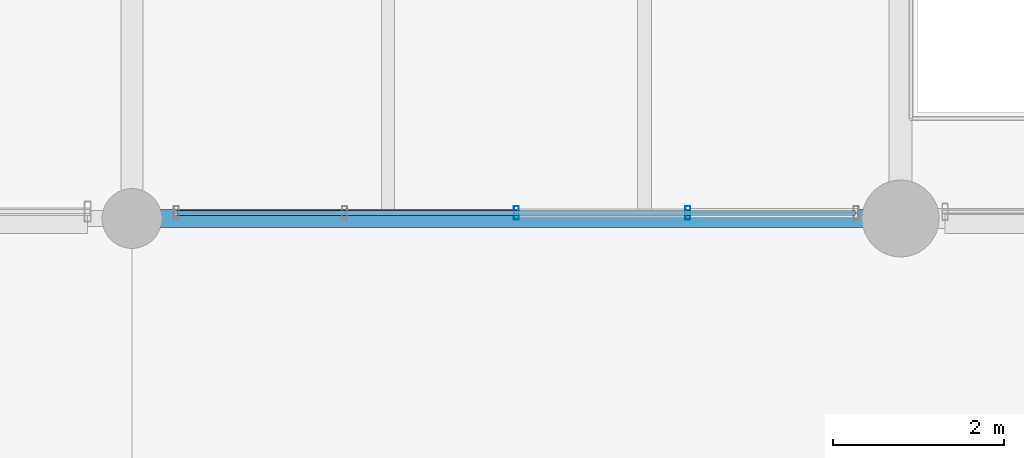
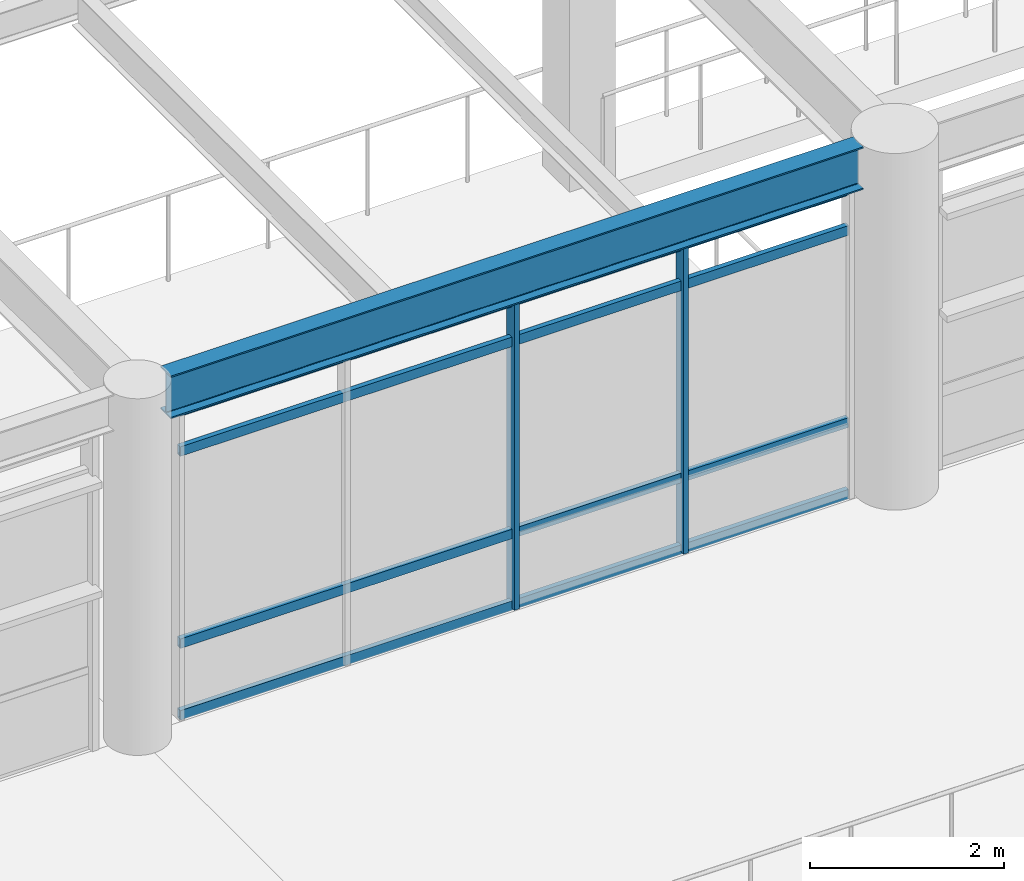
# One storey, part 47 of 200: 6 members, 1 beam, 1 element without a shape of its own.
"""IFC4 building model written with IfcOpenShell, lengths in metres."""

from ifc_helpers import new_model, si_unit, direction, frame, origin, origin_2d, place, context, subcontext, project, spatial, hollow_rectangle, i_section, extrude, material, material_profile, profile_set, type_object, element, aggregate, save


model = new_model("IFC4")

# Units and contexts
model_context = context("Model", 3, precision=1e-05, world=origin(), true_north=direction((0.0, 1.0)))
body_context = subcontext(model_context, "Body", "Model", "MODEL_VIEW")
ifc_project = project(units=[si_unit("LENGTHUNIT", "METRE"), si_unit("AREAUNIT", "SQUARE_METRE"), si_unit("VOLUMEUNIT", "CUBIC_METRE"), si_unit("PLANEANGLEUNIT", "RADIAN"), si_unit("MASSUNIT", "GRAM", prefix="KILO"), si_unit("THERMODYNAMICTEMPERATUREUNIT", "KELVIN"), si_unit("POWERUNIT", "WATT")], contexts=[model_context])

# Site, building, storey
site_placement = place(None, origin())
site = spatial("IfcSite", under=ifc_project, at=site_placement, CompositionType="ELEMENT")
building_placement = place(site_placement, origin())
building = spatial("IfcBuilding", under=site, at=building_placement, Name="Tepalcoro Natatorium and Aquatics Centre", CompositionType="ELEMENT")
storey_placement = place(building_placement, frame((0.0, 0.0, 5.39990234375)))
storey = spatial("IfcBuildingStorey", under=building, at=storey_placement, Name="L01", CompositionType="ELEMENT", Elevation=5.39990234375)

# Curtain wall, members
ifc_material_1 = material(Name="Bronze-Anodised Extruded Aluminium Alloy EN AW-6063 T6", Category="aluminium")
curtain_wall_type = type_object("IfcCurtainWallType", Name="CW_LEAN_T1_NS", PredefinedType="USERDEFINED", material=ifc_material_1)
curtain_wall_placement = place(storey_placement, origin())
curtain_wall = element("IfcCurtainWall", 1, at=curtain_wall_placement, inside=storey, type_object=curtain_wall_type, Name="V1 L01 S Unitised Curtain Wall Bay 6", ObjectType="FACETED SOLAR GLAZING", PredefinedType="USERDEFINED")
ifc_material_profile_1 = material_profile(ifc_material_1, hollow_rectangle(XDim=0.06005859375, YDim=0.159912109375, WallThickness=0.00390625, at=origin_2d()), Name="AL60X160X4")
ifc_profile_set_1 = profile_set([ifc_material_profile_1], Name="Bronze-Anodised Extruded Aluminium Alloy EN AW-6063 T6")
member_type_1 = type_object("IfcMemberType", Name="CW_MUL_60x160", PredefinedType="MULLION", material=ifc_profile_set_1)
member_1_placement = place(storey_placement, frame((93.5, 6.56494140625, 0.02001953125), z_axis=(0.0, 0.0, 1.0), x_axis=(1.0, 0.0, 0.0)))
member_1 = element("IfcMember", 2, at=member_1_placement, type_object=member_type_1, Name="CW_LEAN_T1_NS Curtain Wall Mullion", PredefinedType="MULLION", context=body_context, shape_type="SweptSolid", body=[
    extrude(hollow_rectangle(XDim=0.06005859375, YDim=0.159912109375, WallThickness=0.00390625, at=origin_2d()), origin(), (0.0, 0.0, 1.0), 3.8740234375),
])
member_2_placement = place(storey_placement, frame((95.510009765625, 6.56494140625, 0.02001953125), z_axis=(0.0, 0.0, 1.0), x_axis=(1.0, 0.0, 0.0)))
member_2 = element("IfcMember", 3, at=member_2_placement, type_object=member_type_1, Name="CW_LEAN_T1_NS Curtain Wall Mullion", PredefinedType="MULLION", context=body_context, shape_type="SweptSolid", body=[
    extrude(hollow_rectangle(XDim=0.06005859375, YDim=0.159912109375, WallThickness=0.00390625, at=origin_2d()), origin(), (0.0, 0.0, 1.0), 3.8740234375),
])
ifc_material_profile_2 = material_profile(ifc_material_1, hollow_rectangle(XDim=0.06005859375, YDim=0.1201171875, WallThickness=0.00390625, at=origin_2d()), Name="AL60X120X4")
ifc_profile_set_2 = profile_set([ifc_material_profile_2], Name="Bronze-Anodised Extruded Aluminium Alloy EN AW-6063 T6")
member_type_2 = type_object("IfcMemberType", Name="CW_TRN_60x120", PredefinedType="USERDEFINED", material=ifc_profile_set_2)
member_3_placement = place(storey_placement, frame((89.530029296875, 6.56494140625, 0.050048828125), z_axis=(1.0, 0.0, 0.0), x_axis=(0.0, 1.0, 0.0)))
member_3 = element("IfcMember", 4, at=member_3_placement, type_object=member_type_2, Name="CW_LEAN_T1_NS Curtain Wall Transom", ObjectType="TRANSOM", PredefinedType="USERDEFINED", context=body_context, shape_type="SweptSolid", body=[
    extrude(hollow_rectangle(XDim=0.06005859375, YDim=0.1201171875, WallThickness=0.00390625, at=origin_2d()), origin(), (0.0, 0.0, 1.0), 7.93994140625),
])
member_4_placement = place(storey_placement, frame((89.530029296875, 6.56494140625, 0.9501953125), z_axis=(1.0, 0.0, 0.0), x_axis=(0.0, 1.0, 0.0)))
member_4 = element("IfcMember", 5, at=member_4_placement, type_object=member_type_2, Name="CW_LEAN_T1_NS Curtain Wall Transom", ObjectType="TRANSOM", PredefinedType="USERDEFINED", context=body_context, shape_type="SweptSolid", body=[
    extrude(hollow_rectangle(XDim=0.06005859375, YDim=0.1201171875, WallThickness=0.00390625, at=origin_2d()), origin(), (0.0, 0.0, 1.0), 7.93994140625),
])
member_5_placement = place(storey_placement, frame((89.530029296875, 6.56494140625, 3.364013671875), z_axis=(1.0, 0.0, 0.0), x_axis=(0.0, 1.0, 0.0)))
member_5 = element("IfcMember", 6, at=member_5_placement, type_object=member_type_2, Name="CW_LEAN_T1_NS Curtain Wall Transom", ObjectType="TRANSOM", PredefinedType="USERDEFINED", context=body_context, shape_type="SweptSolid", body=[
    extrude(hollow_rectangle(XDim=0.06005859375, YDim=0.1201171875, WallThickness=0.00390625, at=origin_2d()), origin(), (0.0, 0.0, 1.0), 7.93994140625),
])
member_6_placement = place(storey_placement, frame((89.530029296875, 6.56494140625, 3.864013671875), z_axis=(1.0, 0.0, 0.0), x_axis=(0.0, 1.0, 0.0)))
member_6 = element("IfcMember", 7, at=member_6_placement, type_object=member_type_2, Name="CW_LEAN_T1_NS Curtain Wall Transom", ObjectType="TRANSOM", PredefinedType="USERDEFINED", context=body_context, shape_type="SweptSolid", body=[
    extrude(hollow_rectangle(XDim=0.06005859375, YDim=0.1201171875, WallThickness=0.00390625, at=origin_2d()), origin(), (0.0, 0.0, 1.0), 7.93994140625),
])
aggregate(curtain_wall, [member_1, member_2, member_3, member_4, member_5, member_6])

# Beam
ifc_material_2 = material(Name="Steel ASTM A992 Grade 50 (Fy 345 MPa)", Category="steel")
ifc_material_profile_3 = material_profile(ifc_material_2, i_section(OverallWidth=0.2099609375, OverallDepth=0.535888671875, WebThickness=0.010986328125, FlangeThickness=0.01708984375, FilletRadius=0.013916015625, at=origin_2d()), Name="W21X68")
ifc_profile_set_3 = profile_set([ifc_material_profile_3], Name="Steel ASTM A992 Grade 50 (Fy 345 MPa)")
beam_type = type_object("IfcBeamType", Name="SP_W21x68", PredefinedType="SPANDREL", material=ifc_profile_set_3)
beam_placement = place(storey_placement, frame((89.3349609375, 6.5, 4.197021484375), z_axis=(1.0, 0.0, 0.0), x_axis=(0.0, 1.0, 0.0)))
element("IfcBeam", 8, at=beam_placement, inside=storey, type_object=beam_type, Name="V1 L01 Grid Girder X", PredefinedType="SPANDREL", context=body_context, shape_type="SweptSolid", body=[
    extrude(i_section(OverallWidth=0.2099609375, OverallDepth=0.535888671875, WebThickness=0.010986328125, FlangeThickness=0.01708984375, FilletRadius=0.013916015625, at=origin_2d()), origin(), (0.0, 0.0, 1.0), 8.22998046875),
])

save(model, "model.ifc")
